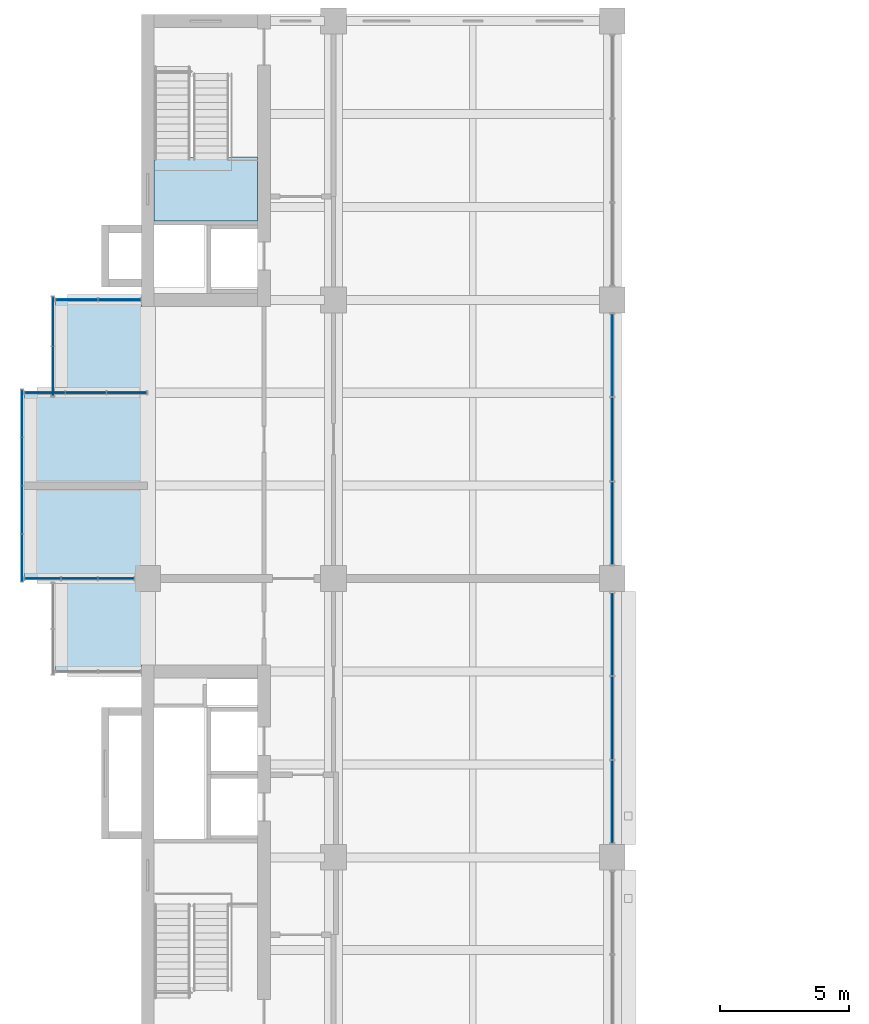
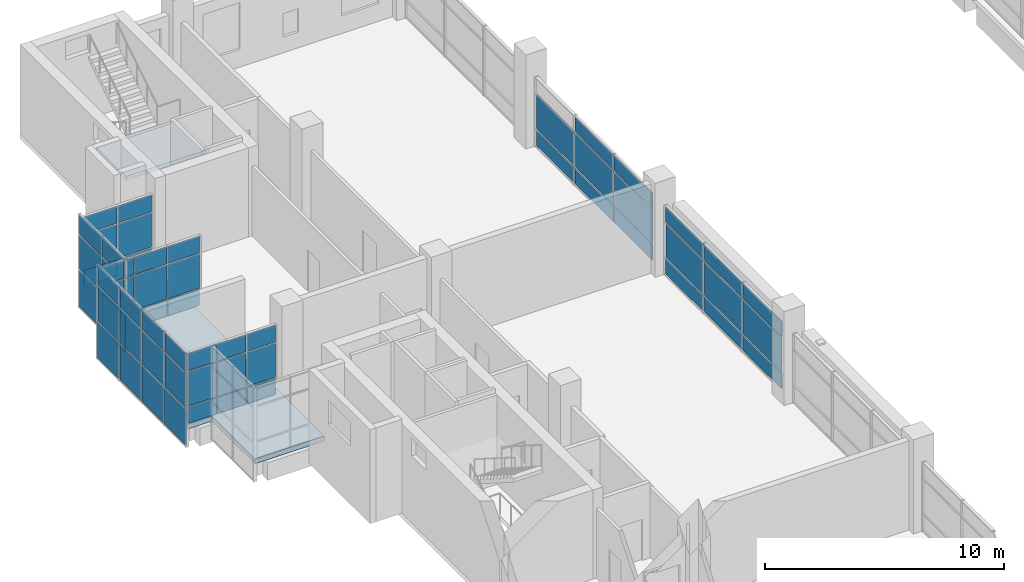
# One storey, part 31 of 44: 59 plates, 2 slabs, 8 elements without a shape of their own.
"""IFC4 building model written with IfcOpenShell, lengths in metres."""

from ifc_helpers import new_model, si_unit, direction, frame, origin, origin_2d, place, context, subcontext, project, spatial, polyline, rectangle, outline, extrude, material, layer, layer_set, type_object, element, aggregate, save


model = new_model("IFC4")

# Units and contexts
model_context = context("Model", 3, precision=1e-05, world=origin(), true_north=direction((0.0, 1.0)))
body_context = subcontext(model_context, "Body", "Model", "MODEL_VIEW")
ifc_project = project(units=[si_unit("LENGTHUNIT", "METRE"), si_unit("AREAUNIT", "SQUARE_METRE"), si_unit("VOLUMEUNIT", "CUBIC_METRE"), si_unit("PLANEANGLEUNIT", "RADIAN"), si_unit("MASSUNIT", "GRAM", prefix="KILO")], contexts=[model_context])

# Site, building, storey
site_placement = place(None, origin())
site = spatial("IfcSite", under=ifc_project, at=site_placement, CompositionType="ELEMENT")
building_placement = place(site_placement, origin())
building = spatial("IfcBuilding", under=site, at=building_placement, Name="Basin Gate Institute", CompositionType="ELEMENT")
storey_placement = place(building_placement, frame((0.0, 0.0, 27.0)))
storey = spatial("IfcBuildingStorey", under=building, at=storey_placement, Name="L05", CompositionType="ELEMENT", Elevation=27.0)

# Slab
ifc_material_1 = material(Name="Concrete 40 MPa", Category="concrete")
ifc_layer_1 = layer(ifc_material_1, 0.25)
ifc_layer_set_1 = layer_set([ifc_layer_1], Name="Concrete 40 MPa")
slab_type_1 = type_object("IfcSlabType", Name="Slab SL4 R120", PredefinedType="FLOOR", material=ifc_layer_set_1)
slab_1_placement = place(storey_placement, frame((0.0, 0.0, -0.25)))
element("IfcSlab", 1, at=slab_1_placement, inside=storey, type_object=slab_type_1, material=ifc_layer_set_1, Name="SLAB/L05/WK21", PredefinedType="FLOOR", context=body_context, shape_type="SweptSolid", body=[
    extrude(outline(polyline([(57.60009765625, 74.699951171875), (57.60009765625, 78.300048828125), (56.39990234375, 78.300048828125), (56.39990234375, 85.5), (57.60009765625, 85.5), (57.60009765625, 89.10009765625), (60.949951171875, 89.10009765625), (60.949951171875, 74.699951171875), (57.60009765625, 74.699951171875)])), origin(), (0.0, 0.0, 1.0), 0.25),
])

# Curtain wall, plates
ifc_material_2 = material(Name="Aluminium-framed glazing", Category="aluminium")
ifc_layer_2 = layer(ifc_material_2, 0.199951171875)
ifc_layer_set_2 = layer_set([ifc_layer_2], Name="Atrium curtain wall CW2")
curtain_wall_type_1 = type_object("IfcCurtainWallType", Name="Atrium curtain wall CW2", PredefinedType="NOTDEFINED", material=ifc_layer_set_2)
curtain_wall_1_placement = place(storey_placement, origin())
curtain_wall_1 = element("IfcCurtainWall", 2, at=curtain_wall_1_placement, inside=storey, type_object=curtain_wall_type_1, material=ifc_layer_set_2, Name="Atrium curtain wall W wing atrium bay 4 L05", PredefinedType="NOTDEFINED")
ifc_material_3 = material(Name="Aluminium insulated spandrel panel", Category="aluminium")
ifc_layer_3 = layer(ifc_material_3, 0.050048828125)
ifc_layer_set_3 = layer_set([ifc_layer_3], Name="Spandrel panel PN2")
plate_type_1 = type_object("IfcPlateType", Name="Spandrel panel PN2", PredefinedType="CURTAIN_PANEL", material=ifc_layer_set_3)
plate_1_placement = place(storey_placement, frame((79.199951171875, 69.6484375, 0.06005859375), z_axis=(0.0, 0.0, 1.0), x_axis=(0.0, 1.0, 0.0)))
plate_1 = element("IfcPlate", 3, at=plate_1_placement, type_object=plate_type_1, material=ifc_layer_set_3, Name="CW2 spandrel panel 1.1", PredefinedType="CURTAIN_PANEL", context=body_context, shape_type="SweptSolid", body=[
    extrude(rectangle(XDim=3.1767578125, YDim=0.050048828125, at=origin_2d()), origin(), (0.0, 0.0, 1.0), 0.81005859375),
])
plate_2_placement = place(storey_placement, frame((79.199951171875, 69.6484375, 2.72998046875), z_axis=(0.0, 0.0, 1.0), x_axis=(0.0, 1.0, 0.0)))
plate_2 = element("IfcPlate", 4, at=plate_2_placement, type_object=plate_type_1, material=ifc_layer_set_3, Name="CW2 spandrel panel 1.3", PredefinedType="CURTAIN_PANEL", context=body_context, shape_type="SweptSolid", body=[
    extrude(rectangle(XDim=3.1767578125, YDim=0.050048828125, at=origin_2d()), origin(), (0.0, 0.0, 1.0), 0.760009765625),
])
plate_3_placement = place(storey_placement, frame((79.199951171875, 72.89990234375, 0.06005859375), z_axis=(0.0, 0.0, 1.0), x_axis=(0.0, 1.0, 0.0)))
plate_3 = element("IfcPlate", 5, at=plate_3_placement, type_object=plate_type_1, material=ifc_layer_set_3, Name="CW2 spandrel panel 2.1", PredefinedType="CURTAIN_PANEL", context=body_context, shape_type="SweptSolid", body=[
    extrude(rectangle(XDim=3.206787109375, YDim=0.050048828125, at=origin_2d()), origin(), (0.0, 0.0, 1.0), 0.81005859375),
])
plate_4_placement = place(storey_placement, frame((79.199951171875, 72.89990234375, 2.72998046875), z_axis=(0.0, 0.0, 1.0), x_axis=(0.0, 1.0, 0.0)))
plate_4 = element("IfcPlate", 6, at=plate_4_placement, type_object=plate_type_1, material=ifc_layer_set_3, Name="CW2 spandrel panel 2.3", PredefinedType="CURTAIN_PANEL", context=body_context, shape_type="SweptSolid", body=[
    extrude(rectangle(XDim=3.206787109375, YDim=0.050048828125, at=origin_2d()), origin(), (0.0, 0.0, 1.0), 0.760009765625),
])
plate_5_placement = place(storey_placement, frame((79.199951171875, 76.151611328125, 0.06005859375), z_axis=(0.0, 0.0, 1.0), x_axis=(0.0, 1.0, 0.0)))
plate_5 = element("IfcPlate", 7, at=plate_5_placement, type_object=plate_type_1, material=ifc_layer_set_3, Name="CW2 spandrel panel 3.1", PredefinedType="CURTAIN_PANEL", context=body_context, shape_type="SweptSolid", body=[
    extrude(rectangle(XDim=3.1767578125, YDim=0.050048828125, at=origin_2d()), origin(), (0.0, 0.0, 1.0), 0.81005859375),
])
plate_6_placement = place(storey_placement, frame((79.199951171875, 76.151611328125, 2.72998046875), z_axis=(0.0, 0.0, 1.0), x_axis=(0.0, 1.0, 0.0)))
plate_6 = element("IfcPlate", 8, at=plate_6_placement, type_object=plate_type_1, material=ifc_layer_set_3, Name="CW2 spandrel panel 3.3", PredefinedType="CURTAIN_PANEL", context=body_context, shape_type="SweptSolid", body=[
    extrude(rectangle(XDim=3.1767578125, YDim=0.050048828125, at=origin_2d()), origin(), (0.0, 0.0, 1.0), 0.760009765625),
])

curtain_wall_2_placement = place(storey_placement, origin())
curtain_wall_2 = element("IfcCurtainWall", 9, at=curtain_wall_2_placement, inside=storey, type_object=curtain_wall_type_1, material=ifc_layer_set_2, Name="Atrium curtain wall W wing atrium bay 5 L05", PredefinedType="NOTDEFINED")
plate_7_placement = place(storey_placement, frame((79.199951171875, 80.4482421875, 0.06005859375), z_axis=(0.0, 0.0, 1.0), x_axis=(0.0, 1.0, 0.0)))
plate_7 = element("IfcPlate", 10, at=plate_7_placement, type_object=plate_type_1, material=ifc_layer_set_3, Name="CW2 spandrel panel 1.1", PredefinedType="CURTAIN_PANEL", context=body_context, shape_type="SweptSolid", body=[
    extrude(rectangle(XDim=3.1767578125, YDim=0.050048828125, at=origin_2d()), origin(), (0.0, 0.0, 1.0), 0.81005859375),
])
plate_8_placement = place(storey_placement, frame((79.199951171875, 80.4482421875, 2.72998046875), z_axis=(0.0, 0.0, 1.0), x_axis=(0.0, 1.0, 0.0)))
plate_8 = element("IfcPlate", 11, at=plate_8_placement, type_object=plate_type_1, material=ifc_layer_set_3, Name="CW2 spandrel panel 1.3", PredefinedType="CURTAIN_PANEL", context=body_context, shape_type="SweptSolid", body=[
    extrude(rectangle(XDim=3.1767578125, YDim=0.050048828125, at=origin_2d()), origin(), (0.0, 0.0, 1.0), 0.760009765625),
])
plate_9_placement = place(storey_placement, frame((79.199951171875, 83.699951171875, 0.06005859375), z_axis=(0.0, 0.0, 1.0), x_axis=(0.0, 1.0, 0.0)))
plate_9 = element("IfcPlate", 12, at=plate_9_placement, type_object=plate_type_1, material=ifc_layer_set_3, Name="CW2 spandrel panel 2.1", PredefinedType="CURTAIN_PANEL", context=body_context, shape_type="SweptSolid", body=[
    extrude(rectangle(XDim=3.206787109375, YDim=0.050048828125, at=origin_2d()), origin(), (0.0, 0.0, 1.0), 0.81005859375),
])
plate_10_placement = place(storey_placement, frame((79.199951171875, 83.699951171875, 2.72998046875), z_axis=(0.0, 0.0, 1.0), x_axis=(0.0, 1.0, 0.0)))
plate_10 = element("IfcPlate", 13, at=plate_10_placement, type_object=plate_type_1, material=ifc_layer_set_3, Name="CW2 spandrel panel 2.3", PredefinedType="CURTAIN_PANEL", context=body_context, shape_type="SweptSolid", body=[
    extrude(rectangle(XDim=3.206787109375, YDim=0.050048828125, at=origin_2d()), origin(), (0.0, 0.0, 1.0), 0.760009765625),
])
plate_11_placement = place(storey_placement, frame((79.199951171875, 86.95166015625, 0.06005859375), z_axis=(0.0, 0.0, 1.0), x_axis=(0.0, 1.0, 0.0)))
plate_11 = element("IfcPlate", 14, at=plate_11_placement, type_object=plate_type_1, material=ifc_layer_set_3, Name="CW2 spandrel panel 3.1", PredefinedType="CURTAIN_PANEL", context=body_context, shape_type="SweptSolid", body=[
    extrude(rectangle(XDim=3.1767578125, YDim=0.050048828125, at=origin_2d()), origin(), (0.0, 0.0, 1.0), 0.81005859375),
])

ifc_material_4 = material(Name="Aluminium-framed glazing", Category="aluminium")
ifc_layer_4 = layer(ifc_material_4, 0.14990234375)
ifc_layer_set_4 = layer_set([ifc_layer_4], Name="Capsule front curtain wall CW1")
curtain_wall_type_2 = type_object("IfcCurtainWallType", Name="Capsule front curtain wall CW1", PredefinedType="NOTDEFINED", material=ifc_layer_set_4)
curtain_wall_3_placement = place(storey_placement, origin())
curtain_wall_3 = element("IfcCurtainWall", 15, at=curtain_wall_3_placement, inside=storey, type_object=curtain_wall_type_2, material=ifc_layer_set_4, Name="Capsule front curtain wall W wing capsule end L05 line 13", PredefinedType="NOTDEFINED")
plate_12_placement = place(storey_placement, frame((57.129150390625, 78.300048828125, 0.06005859375), z_axis=(0.0, 0.0, 1.0), x_axis=(1.0, 0.0, 0.0)))
plate_12 = element("IfcPlate", 16, at=plate_12_placement, type_object=plate_type_1, material=ifc_layer_set_3, Name="CW1 spandrel panel 1.1", PredefinedType="CURTAIN_PANEL", context=body_context, shape_type="SweptSolid", body=[
    extrude(rectangle(XDim=1.3583984375, YDim=0.050048828125, at=origin_2d()), origin(), (0.0, 0.0, 1.0), 0.81005859375),
])
plate_13_placement = place(storey_placement, frame((58.550048828125, 78.300048828125, 0.06005859375), z_axis=(0.0, 0.0, 1.0), x_axis=(1.0, 0.0, 0.0)))
plate_13 = element("IfcPlate", 17, at=plate_13_placement, type_object=plate_type_1, material=ifc_layer_set_3, Name="CW1 spandrel panel 2.1", PredefinedType="CURTAIN_PANEL", context=body_context, shape_type="SweptSolid", body=[
    extrude(rectangle(XDim=1.38330078125, YDim=0.050048828125, at=origin_2d()), origin(), (0.0, 0.0, 1.0), 0.81005859375),
])
plate_14_placement = place(storey_placement, frame((59.970947265625, 78.300048828125, 0.06005859375), z_axis=(0.0, 0.0, 1.0), x_axis=(1.0, 0.0, 0.0)))
plate_14 = element("IfcPlate", 18, at=plate_14_placement, type_object=plate_type_1, material=ifc_layer_set_3, Name="CW1 spandrel panel 3.1", PredefinedType="CURTAIN_PANEL", context=body_context, shape_type="SweptSolid", body=[
    extrude(rectangle(XDim=1.3583984375, YDim=0.050048828125, at=origin_2d()), origin(), (0.0, 0.0, 1.0), 0.81005859375),
])

curtain_wall_4_placement = place(storey_placement, origin())
curtain_wall_4 = element("IfcCurtainWall", 19, at=curtain_wall_4_placement, inside=storey, type_object=curtain_wall_type_2, material=ifc_layer_set_4, Name="Capsule front curtain wall W wing capsule end L05 line 15", PredefinedType="NOTDEFINED")
plate_15_placement = place(storey_placement, frame((57.21240234375, 85.5, 0.06005859375), z_axis=(0.0, 0.0, 1.0), x_axis=(1.0, 0.0, 0.0)))
plate_15 = element("IfcPlate", 20, at=plate_15_placement, type_object=plate_type_1, material=ifc_layer_set_3, Name="CW1 spandrel panel 1.1", PredefinedType="CURTAIN_PANEL", context=body_context, shape_type="SweptSolid", body=[
    extrude(rectangle(XDim=1.52490234375, YDim=0.050048828125, at=origin_2d()), origin(), (0.0, 0.0, 1.0), 0.81005859375),
])
plate_16_placement = place(storey_placement, frame((58.800048828125, 85.5, 0.06005859375), z_axis=(0.0, 0.0, 1.0), x_axis=(1.0, 0.0, 0.0)))
plate_16 = element("IfcPlate", 21, at=plate_16_placement, type_object=plate_type_1, material=ifc_layer_set_3, Name="CW1 spandrel panel 2.1", PredefinedType="CURTAIN_PANEL", context=body_context, shape_type="SweptSolid", body=[
    extrude(rectangle(XDim=1.550048828125, YDim=0.050048828125, at=origin_2d()), origin(), (0.0, 0.0, 1.0), 0.81005859375),
])
plate_17_placement = place(storey_placement, frame((60.387451171875, 85.5, 0.06005859375), z_axis=(0.0, 0.0, 1.0), x_axis=(1.0, 0.0, 0.0)))
plate_17 = element("IfcPlate", 22, at=plate_17_placement, type_object=plate_type_1, material=ifc_layer_set_3, Name="CW1 spandrel panel 3.1", PredefinedType="CURTAIN_PANEL", context=body_context, shape_type="SweptSolid", body=[
    extrude(rectangle(XDim=1.52490234375, YDim=0.050048828125, at=origin_2d()), origin(), (0.0, 0.0, 1.0), 0.81005859375),
])

curtain_wall_5_placement = place(storey_placement, origin())
curtain_wall_5 = element("IfcCurtainWall", 23, at=curtain_wall_5_placement, inside=storey, type_object=curtain_wall_type_2, material=ifc_layer_set_4, Name="Capsule front curtain wall W wing capsule end L05 line 16", PredefinedType="NOTDEFINED")
plate_18_placement = place(storey_placement, frame((58.449951171875, 89.10009765625, 0.06005859375), z_axis=(0.0, 0.0, 1.0), x_axis=(1.0, 0.0, 0.0)))
plate_18 = element("IfcPlate", 24, at=plate_18_placement, type_object=plate_type_1, material=ifc_layer_set_3, Name="CW1 spandrel panel 1.1", PredefinedType="CURTAIN_PANEL", context=body_context, shape_type="SweptSolid", body=[
    extrude(rectangle(XDim=1.60009765625, YDim=0.050048828125, at=origin_2d()), origin(), (0.0, 0.0, 1.0), 0.81005859375),
])
plate_19_placement = place(storey_placement, frame((60.10009765625, 89.10009765625, 0.06005859375), z_axis=(0.0, 0.0, 1.0), x_axis=(1.0, 0.0, 0.0)))
plate_19 = element("IfcPlate", 25, at=plate_19_placement, type_object=plate_type_1, material=ifc_layer_set_3, Name="CW1 spandrel panel 2.1", PredefinedType="CURTAIN_PANEL", context=body_context, shape_type="SweptSolid", body=[
    extrude(rectangle(XDim=1.60009765625, YDim=0.050048828125, at=origin_2d()), origin(), (0.0, 0.0, 1.0), 0.81005859375),
])

curtain_wall_6_placement = place(storey_placement, origin())
curtain_wall_6 = element("IfcCurtainWall", 26, at=curtain_wall_6_placement, inside=storey, type_object=curtain_wall_type_2, material=ifc_layer_set_4, Name="Capsule front curtain wall W wing capsule 2 L05 front 2", PredefinedType="NOTDEFINED")
plate_20_placement = place(storey_placement, frame((56.324951171875, 79.10009765625, -0.990234375), z_axis=(0.0, 0.0, 1.0), x_axis=(0.0, 1.0, 0.0)))
plate_20 = element("IfcPlate", 27, at=plate_20_placement, type_object=plate_type_1, material=ifc_layer_set_3, Name="CW1 spandrel panel 1.1", PredefinedType="CURTAIN_PANEL", context=body_context, shape_type="SweptSolid", body=[
    extrude(rectangle(XDim=1.800048828125, YDim=0.050048828125, at=origin_2d()), origin(), (0.0, 0.0, 1.0), 1.860107421875),
])
plate_21_placement = place(storey_placement, frame((56.324951171875, 80.96240234375, -0.990234375), z_axis=(0.0, 0.0, 1.0), x_axis=(0.0, 1.0, 0.0)))
plate_21 = element("IfcPlate", 28, at=plate_21_placement, type_object=plate_type_1, material=ifc_layer_set_3, Name="CW1 spandrel panel 2.1", PredefinedType="CURTAIN_PANEL", context=body_context, shape_type="SweptSolid", body=[
    extrude(rectangle(XDim=1.824951171875, YDim=0.050048828125, at=origin_2d()), origin(), (0.0, 0.0, 1.0), 1.860107421875),
])
plate_22_placement = place(storey_placement, frame((56.324951171875, 82.83740234375, -0.990234375), z_axis=(0.0, 0.0, 1.0), x_axis=(0.0, 1.0, 0.0)))
plate_22 = element("IfcPlate", 29, at=plate_22_placement, type_object=plate_type_1, material=ifc_layer_set_3, Name="CW1 spandrel panel 3.1", PredefinedType="CURTAIN_PANEL", context=body_context, shape_type="SweptSolid", body=[
    extrude(rectangle(XDim=1.824951171875, YDim=0.050048828125, at=origin_2d()), origin(), (0.0, 0.0, 1.0), 1.860107421875),
])
plate_23_placement = place(storey_placement, frame((56.324951171875, 84.699951171875, -0.990234375), z_axis=(0.0, 0.0, 1.0), x_axis=(0.0, 1.0, 0.0)))
plate_23 = element("IfcPlate", 30, at=plate_23_placement, type_object=plate_type_1, material=ifc_layer_set_3, Name="CW1 spandrel panel 4.1", PredefinedType="CURTAIN_PANEL", context=body_context, shape_type="SweptSolid", body=[
    extrude(rectangle(XDim=1.800048828125, YDim=0.050048828125, at=origin_2d()), origin(), (0.0, 0.0, 1.0), 1.860107421875),
])

curtain_wall_7_placement = place(storey_placement, origin())
curtain_wall_7 = element("IfcCurtainWall", 31, at=curtain_wall_7_placement, inside=storey, type_object=curtain_wall_type_2, material=ifc_layer_set_4, Name="Capsule front curtain wall W wing capsule 2 L05 front 4", PredefinedType="NOTDEFINED")
plate_24_placement = place(storey_placement, frame((57.52490234375, 86.33740234375, -0.990234375), z_axis=(0.0, 0.0, 1.0), x_axis=(0.0, 1.0, 0.0)))
plate_24 = element("IfcPlate", 32, at=plate_24_placement, type_object=plate_type_1, material=ifc_layer_set_3, Name="CW1 spandrel panel 1.1", PredefinedType="CURTAIN_PANEL", context=body_context, shape_type="SweptSolid", body=[
    extrude(rectangle(XDim=1.875, YDim=0.050048828125, at=origin_2d()), origin(), (0.0, 0.0, 1.0), 1.860107421875),
])
plate_25_placement = place(storey_placement, frame((57.52490234375, 88.262451171875, -0.990234375), z_axis=(0.0, 0.0, 1.0), x_axis=(0.0, 1.0, 0.0)))
plate_25 = element("IfcPlate", 33, at=plate_25_placement, type_object=plate_type_1, material=ifc_layer_set_3, Name="CW1 spandrel panel 2.1", PredefinedType="CURTAIN_PANEL", context=body_context, shape_type="SweptSolid", body=[
    extrude(rectangle(XDim=1.875, YDim=0.050048828125, at=origin_2d()), origin(), (0.0, 0.0, 1.0), 1.860107421875),
])

# Stair, slab
ifc_material_5 = material(Name="Concrete 40 MPa", Category="concrete")
stair_type = type_object("IfcStairType", Name="Stair ST", PredefinedType="HALF_TURN_STAIR", material=ifc_material_5)
stair_placement = place(storey_placement, origin())
stair = element("IfcStair", 34, at=stair_placement, inside=storey, type_object=stair_type, material=ifc_material_5, Name="Special safe stair ST-WN L05", PredefinedType="HALF_TURN_STAIR")
ifc_material_6 = material(Name="Concrete 40 MPa", Category="concrete")
ifc_layer_5 = layer(ifc_material_6, 0.199951171875)
ifc_layer_set_5 = layer_set([ifc_layer_5], Name="Concrete 40 MPa")
slab_type_2 = type_object("IfcSlabType", Name="Stair landing LN REI 120", PredefinedType="LANDING", material=ifc_layer_set_5)
slab_2_placement = place(storey_placement, frame((0.0, 0.0, 2.288818359375)))
slab_2 = element("IfcSlab", 35, at=slab_2_placement, type_object=slab_type_2, material=ifc_layer_set_5, Name="Stair landing ST-WN-L1 L05", PredefinedType="LANDING", context=body_context, shape_type="SweptSolid", body=[
    extrude(outline(polyline([(61.449951171875, 92.14990234375), (65.449951171875, 92.14990234375), (65.449951171875, 94.6298828125), (61.449951171875, 94.6298828125), (61.449951171875, 92.14990234375)])), origin(), (0.0, 0.0, 1.0), 0.199951171875),
])
aggregate(stair, [slab_2])

# Plate
ifc_material_7 = material(Name="Double glazed unit")
ifc_layer_6 = layer(ifc_material_7, 0.028076171875)
ifc_layer_set_6 = layer_set([ifc_layer_6], Name="Vision panel PN1")
plate_type_2 = type_object("IfcPlateType", Name="Vision panel PN1", PredefinedType="CURTAIN_PANEL", material=ifc_layer_set_6)
plate_26_placement = place(storey_placement, frame((79.199951171875, 69.6484375, 0.93017578125), z_axis=(0.0, 0.0, 1.0), x_axis=(0.0, 1.0, 0.0)))
plate_26 = element("IfcPlate", 36, at=plate_26_placement, type_object=plate_type_2, material=ifc_layer_set_6, Name="CW2 vision panel 1.2", PredefinedType="CURTAIN_PANEL", context=body_context, shape_type="SweptSolid", body=[
    extrude(rectangle(XDim=3.1767578125, YDim=0.028076171875, at=origin_2d()), origin(), (0.0, 0.0, 1.0), 1.739990234375),
])

plate_27_placement = place(storey_placement, frame((79.199951171875, 72.89990234375, 0.93017578125), z_axis=(0.0, 0.0, 1.0), x_axis=(0.0, 1.0, 0.0)))
plate_27 = element("IfcPlate", 37, at=plate_27_placement, type_object=plate_type_2, material=ifc_layer_set_6, Name="CW2 vision panel 2.2", PredefinedType="CURTAIN_PANEL", context=body_context, shape_type="SweptSolid", body=[
    extrude(rectangle(XDim=3.206787109375, YDim=0.028076171875, at=origin_2d()), origin(), (0.0, 0.0, 1.0), 1.739990234375),
])

plate_28_placement = place(storey_placement, frame((79.199951171875, 76.151611328125, 0.93017578125), z_axis=(0.0, 0.0, 1.0), x_axis=(0.0, 1.0, 0.0)))
plate_28 = element("IfcPlate", 38, at=plate_28_placement, type_object=plate_type_2, material=ifc_layer_set_6, Name="CW2 vision panel 3.2", PredefinedType="CURTAIN_PANEL", context=body_context, shape_type="SweptSolid", body=[
    extrude(rectangle(XDim=3.1767578125, YDim=0.028076171875, at=origin_2d()), origin(), (0.0, 0.0, 1.0), 1.739990234375),
])

aggregate(curtain_wall_1, [plate_1, plate_26, plate_2, plate_3, plate_27, plate_4, plate_5, plate_28, plate_6])

plate_29_placement = place(storey_placement, frame((79.199951171875, 80.4482421875, 0.93017578125), z_axis=(0.0, 0.0, 1.0), x_axis=(0.0, 1.0, 0.0)))
plate_29 = element("IfcPlate", 39, at=plate_29_placement, type_object=plate_type_2, material=ifc_layer_set_6, Name="CW2 vision panel 1.2", PredefinedType="CURTAIN_PANEL", context=body_context, shape_type="SweptSolid", body=[
    extrude(rectangle(XDim=3.1767578125, YDim=0.028076171875, at=origin_2d()), origin(), (0.0, 0.0, 1.0), 1.739990234375),
])

plate_30_placement = place(storey_placement, frame((79.199951171875, 83.699951171875, 0.93017578125), z_axis=(0.0, 0.0, 1.0), x_axis=(0.0, 1.0, 0.0)))
plate_30 = element("IfcPlate", 40, at=plate_30_placement, type_object=plate_type_2, material=ifc_layer_set_6, Name="CW2 vision panel 2.2", PredefinedType="CURTAIN_PANEL", context=body_context, shape_type="SweptSolid", body=[
    extrude(rectangle(XDim=3.206787109375, YDim=0.028076171875, at=origin_2d()), origin(), (0.0, 0.0, 1.0), 1.739990234375),
])

plate_31_placement = place(storey_placement, frame((79.199951171875, 86.95166015625, 0.93017578125), z_axis=(0.0, 0.0, 1.0), x_axis=(0.0, 1.0, 0.0)))
plate_31 = element("IfcPlate", 41, at=plate_31_placement, type_object=plate_type_2, material=ifc_layer_set_6, Name="CW2 vision panel 3.2", PredefinedType="CURTAIN_PANEL", context=body_context, shape_type="SweptSolid", body=[
    extrude(rectangle(XDim=3.1767578125, YDim=0.028076171875, at=origin_2d()), origin(), (0.0, 0.0, 1.0), 1.739990234375),
])

aggregate(curtain_wall_2, [plate_7, plate_29, plate_8, plate_9, plate_30, plate_10, plate_11, plate_31])

plate_32_placement = place(storey_placement, frame((57.129150390625, 78.300048828125, 0.93017578125), z_axis=(0.0, 0.0, 1.0), x_axis=(1.0, 0.0, 0.0)))
plate_32 = element("IfcPlate", 42, at=plate_32_placement, type_object=plate_type_2, material=ifc_layer_set_6, Name="CW1 vision panel 1.2", PredefinedType="CURTAIN_PANEL", context=body_context, shape_type="SweptSolid", body=[
    extrude(rectangle(XDim=1.3583984375, YDim=0.028076171875, at=origin_2d()), origin(), (0.0, 0.0, 1.0), 1.739990234375),
])

plate_33_placement = place(storey_placement, frame((57.129150390625, 78.300048828125, 2.72998046875), z_axis=(0.0, 0.0, 1.0), x_axis=(1.0, 0.0, 0.0)))
plate_33 = element("IfcPlate", 43, at=plate_33_placement, type_object=plate_type_2, material=ifc_layer_set_6, Name="CW1 vision panel 1.3", PredefinedType="CURTAIN_PANEL", context=body_context, shape_type="SweptSolid", body=[
    extrude(rectangle(XDim=1.3583984375, YDim=0.028076171875, at=origin_2d()), origin(), (0.0, 0.0, 1.0), 0.860107421875),
])

plate_34_placement = place(storey_placement, frame((58.550048828125, 78.300048828125, 0.93017578125), z_axis=(0.0, 0.0, 1.0), x_axis=(1.0, 0.0, 0.0)))
plate_34 = element("IfcPlate", 44, at=plate_34_placement, type_object=plate_type_2, material=ifc_layer_set_6, Name="CW1 vision panel 2.2", PredefinedType="CURTAIN_PANEL", context=body_context, shape_type="SweptSolid", body=[
    extrude(rectangle(XDim=1.38330078125, YDim=0.028076171875, at=origin_2d()), origin(), (0.0, 0.0, 1.0), 1.739990234375),
])

plate_35_placement = place(storey_placement, frame((58.550048828125, 78.300048828125, 2.72998046875), z_axis=(0.0, 0.0, 1.0), x_axis=(1.0, 0.0, 0.0)))
plate_35 = element("IfcPlate", 45, at=plate_35_placement, type_object=plate_type_2, material=ifc_layer_set_6, Name="CW1 vision panel 2.3", PredefinedType="CURTAIN_PANEL", context=body_context, shape_type="SweptSolid", body=[
    extrude(rectangle(XDim=1.38330078125, YDim=0.028076171875, at=origin_2d()), origin(), (0.0, 0.0, 1.0), 0.860107421875),
])

plate_36_placement = place(storey_placement, frame((59.970947265625, 78.300048828125, 0.93017578125), z_axis=(0.0, 0.0, 1.0), x_axis=(1.0, 0.0, 0.0)))
plate_36 = element("IfcPlate", 46, at=plate_36_placement, type_object=plate_type_2, material=ifc_layer_set_6, Name="CW1 vision panel 3.2", PredefinedType="CURTAIN_PANEL", context=body_context, shape_type="SweptSolid", body=[
    extrude(rectangle(XDim=1.3583984375, YDim=0.028076171875, at=origin_2d()), origin(), (0.0, 0.0, 1.0), 1.739990234375),
])

plate_37_placement = place(storey_placement, frame((59.970947265625, 78.300048828125, 2.72998046875), z_axis=(0.0, 0.0, 1.0), x_axis=(1.0, 0.0, 0.0)))
plate_37 = element("IfcPlate", 47, at=plate_37_placement, type_object=plate_type_2, material=ifc_layer_set_6, Name="CW1 vision panel 3.3", PredefinedType="CURTAIN_PANEL", context=body_context, shape_type="SweptSolid", body=[
    extrude(rectangle(XDim=1.3583984375, YDim=0.028076171875, at=origin_2d()), origin(), (0.0, 0.0, 1.0), 0.860107421875),
])

aggregate(curtain_wall_3, [plate_12, plate_32, plate_33, plate_13, plate_34, plate_35, plate_14, plate_36, plate_37])

plate_38_placement = place(storey_placement, frame((57.21240234375, 85.5, 0.93017578125), z_axis=(0.0, 0.0, 1.0), x_axis=(1.0, 0.0, 0.0)))
plate_38 = element("IfcPlate", 48, at=plate_38_placement, type_object=plate_type_2, material=ifc_layer_set_6, Name="CW1 vision panel 1.2", PredefinedType="CURTAIN_PANEL", context=body_context, shape_type="SweptSolid", body=[
    extrude(rectangle(XDim=1.52490234375, YDim=0.028076171875, at=origin_2d()), origin(), (0.0, 0.0, 1.0), 1.739990234375),
])

plate_39_placement = place(storey_placement, frame((57.21240234375, 85.5, 2.72998046875), z_axis=(0.0, 0.0, 1.0), x_axis=(1.0, 0.0, 0.0)))
plate_39 = element("IfcPlate", 49, at=plate_39_placement, type_object=plate_type_2, material=ifc_layer_set_6, Name="CW1 vision panel 1.3", PredefinedType="CURTAIN_PANEL", context=body_context, shape_type="SweptSolid", body=[
    extrude(rectangle(XDim=1.52490234375, YDim=0.028076171875, at=origin_2d()), origin(), (0.0, 0.0, 1.0), 0.860107421875),
])

plate_40_placement = place(storey_placement, frame((58.800048828125, 85.5, 0.93017578125), z_axis=(0.0, 0.0, 1.0), x_axis=(1.0, 0.0, 0.0)))
plate_40 = element("IfcPlate", 50, at=plate_40_placement, type_object=plate_type_2, material=ifc_layer_set_6, Name="CW1 vision panel 2.2", PredefinedType="CURTAIN_PANEL", context=body_context, shape_type="SweptSolid", body=[
    extrude(rectangle(XDim=1.550048828125, YDim=0.028076171875, at=origin_2d()), origin(), (0.0, 0.0, 1.0), 1.739990234375),
])

plate_41_placement = place(storey_placement, frame((58.800048828125, 85.5, 2.72998046875), z_axis=(0.0, 0.0, 1.0), x_axis=(1.0, 0.0, 0.0)))
plate_41 = element("IfcPlate", 51, at=plate_41_placement, type_object=plate_type_2, material=ifc_layer_set_6, Name="CW1 vision panel 2.3", PredefinedType="CURTAIN_PANEL", context=body_context, shape_type="SweptSolid", body=[
    extrude(rectangle(XDim=1.550048828125, YDim=0.028076171875, at=origin_2d()), origin(), (0.0, 0.0, 1.0), 0.860107421875),
])

plate_42_placement = place(storey_placement, frame((60.387451171875, 85.5, 0.93017578125), z_axis=(0.0, 0.0, 1.0), x_axis=(1.0, 0.0, 0.0)))
plate_42 = element("IfcPlate", 52, at=plate_42_placement, type_object=plate_type_2, material=ifc_layer_set_6, Name="CW1 vision panel 3.2", PredefinedType="CURTAIN_PANEL", context=body_context, shape_type="SweptSolid", body=[
    extrude(rectangle(XDim=1.52490234375, YDim=0.028076171875, at=origin_2d()), origin(), (0.0, 0.0, 1.0), 1.739990234375),
])

plate_43_placement = place(storey_placement, frame((60.387451171875, 85.5, 2.72998046875), z_axis=(0.0, 0.0, 1.0), x_axis=(1.0, 0.0, 0.0)))
plate_43 = element("IfcPlate", 53, at=plate_43_placement, type_object=plate_type_2, material=ifc_layer_set_6, Name="CW1 vision panel 3.3", PredefinedType="CURTAIN_PANEL", context=body_context, shape_type="SweptSolid", body=[
    extrude(rectangle(XDim=1.52490234375, YDim=0.028076171875, at=origin_2d()), origin(), (0.0, 0.0, 1.0), 0.860107421875),
])

aggregate(curtain_wall_4, [plate_15, plate_38, plate_39, plate_16, plate_40, plate_41, plate_17, plate_42, plate_43])

plate_44_placement = place(storey_placement, frame((58.449951171875, 89.10009765625, 0.93017578125), z_axis=(0.0, 0.0, 1.0), x_axis=(1.0, 0.0, 0.0)))
plate_44 = element("IfcPlate", 54, at=plate_44_placement, type_object=plate_type_2, material=ifc_layer_set_6, Name="CW1 vision panel 1.2", PredefinedType="CURTAIN_PANEL", context=body_context, shape_type="SweptSolid", body=[
    extrude(rectangle(XDim=1.60009765625, YDim=0.028076171875, at=origin_2d()), origin(), (0.0, 0.0, 1.0), 1.739990234375),
])

plate_45_placement = place(storey_placement, frame((58.449951171875, 89.10009765625, 2.72998046875), z_axis=(0.0, 0.0, 1.0), x_axis=(1.0, 0.0, 0.0)))
plate_45 = element("IfcPlate", 55, at=plate_45_placement, type_object=plate_type_2, material=ifc_layer_set_6, Name="CW1 vision panel 1.3", PredefinedType="CURTAIN_PANEL", context=body_context, shape_type="SweptSolid", body=[
    extrude(rectangle(XDim=1.60009765625, YDim=0.028076171875, at=origin_2d()), origin(), (0.0, 0.0, 1.0), 0.860107421875),
])

plate_46_placement = place(storey_placement, frame((60.10009765625, 89.10009765625, 0.93017578125), z_axis=(0.0, 0.0, 1.0), x_axis=(1.0, 0.0, 0.0)))
plate_46 = element("IfcPlate", 56, at=plate_46_placement, type_object=plate_type_2, material=ifc_layer_set_6, Name="CW1 vision panel 2.2", PredefinedType="CURTAIN_PANEL", context=body_context, shape_type="SweptSolid", body=[
    extrude(rectangle(XDim=1.60009765625, YDim=0.028076171875, at=origin_2d()), origin(), (0.0, 0.0, 1.0), 1.739990234375),
])

plate_47_placement = place(storey_placement, frame((60.10009765625, 89.10009765625, 2.72998046875), z_axis=(0.0, 0.0, 1.0), x_axis=(1.0, 0.0, 0.0)))
plate_47 = element("IfcPlate", 57, at=plate_47_placement, type_object=plate_type_2, material=ifc_layer_set_6, Name="CW1 vision panel 2.3", PredefinedType="CURTAIN_PANEL", context=body_context, shape_type="SweptSolid", body=[
    extrude(rectangle(XDim=1.60009765625, YDim=0.028076171875, at=origin_2d()), origin(), (0.0, 0.0, 1.0), 0.860107421875),
])

aggregate(curtain_wall_5, [plate_18, plate_44, plate_45, plate_19, plate_46, plate_47])

plate_48_placement = place(storey_placement, frame((56.324951171875, 79.10009765625, 0.93017578125), z_axis=(0.0, 0.0, 1.0), x_axis=(0.0, 1.0, 0.0)))
plate_48 = element("IfcPlate", 58, at=plate_48_placement, type_object=plate_type_2, material=ifc_layer_set_6, Name="CW1 vision panel 1.2", PredefinedType="CURTAIN_PANEL", context=body_context, shape_type="SweptSolid", body=[
    extrude(rectangle(XDim=1.800048828125, YDim=0.028076171875, at=origin_2d()), origin(), (0.0, 0.0, 1.0), 1.739990234375),
])

plate_49_placement = place(storey_placement, frame((56.324951171875, 79.10009765625, 2.72998046875), z_axis=(0.0, 0.0, 1.0), x_axis=(0.0, 1.0, 0.0)))
plate_49 = element("IfcPlate", 59, at=plate_49_placement, type_object=plate_type_2, material=ifc_layer_set_6, Name="CW1 vision panel 1.3", PredefinedType="CURTAIN_PANEL", context=body_context, shape_type="SweptSolid", body=[
    extrude(rectangle(XDim=1.800048828125, YDim=0.028076171875, at=origin_2d()), origin(), (0.0, 0.0, 1.0), 0.9599609375),
])

plate_50_placement = place(storey_placement, frame((56.324951171875, 80.96240234375, 0.93017578125), z_axis=(0.0, 0.0, 1.0), x_axis=(0.0, 1.0, 0.0)))
plate_50 = element("IfcPlate", 60, at=plate_50_placement, type_object=plate_type_2, material=ifc_layer_set_6, Name="CW1 vision panel 2.2", PredefinedType="CURTAIN_PANEL", context=body_context, shape_type="SweptSolid", body=[
    extrude(rectangle(XDim=1.824951171875, YDim=0.028076171875, at=origin_2d()), origin(), (0.0, 0.0, 1.0), 1.739990234375),
])

plate_51_placement = place(storey_placement, frame((56.324951171875, 80.96240234375, 2.72998046875), z_axis=(0.0, 0.0, 1.0), x_axis=(0.0, 1.0, 0.0)))
plate_51 = element("IfcPlate", 61, at=plate_51_placement, type_object=plate_type_2, material=ifc_layer_set_6, Name="CW1 vision panel 2.3", PredefinedType="CURTAIN_PANEL", context=body_context, shape_type="SweptSolid", body=[
    extrude(rectangle(XDim=1.824951171875, YDim=0.028076171875, at=origin_2d()), origin(), (0.0, 0.0, 1.0), 0.9599609375),
])

plate_52_placement = place(storey_placement, frame((56.324951171875, 82.83740234375, 0.93017578125), z_axis=(0.0, 0.0, 1.0), x_axis=(0.0, 1.0, 0.0)))
plate_52 = element("IfcPlate", 62, at=plate_52_placement, type_object=plate_type_2, material=ifc_layer_set_6, Name="CW1 vision panel 3.2", PredefinedType="CURTAIN_PANEL", context=body_context, shape_type="SweptSolid", body=[
    extrude(rectangle(XDim=1.824951171875, YDim=0.028076171875, at=origin_2d()), origin(), (0.0, 0.0, 1.0), 1.739990234375),
])

plate_53_placement = place(storey_placement, frame((56.324951171875, 82.83740234375, 2.72998046875), z_axis=(0.0, 0.0, 1.0), x_axis=(0.0, 1.0, 0.0)))
plate_53 = element("IfcPlate", 63, at=plate_53_placement, type_object=plate_type_2, material=ifc_layer_set_6, Name="CW1 vision panel 3.3", PredefinedType="CURTAIN_PANEL", context=body_context, shape_type="SweptSolid", body=[
    extrude(rectangle(XDim=1.824951171875, YDim=0.028076171875, at=origin_2d()), origin(), (0.0, 0.0, 1.0), 0.9599609375),
])

plate_54_placement = place(storey_placement, frame((56.324951171875, 84.699951171875, 0.93017578125), z_axis=(0.0, 0.0, 1.0), x_axis=(0.0, 1.0, 0.0)))
plate_54 = element("IfcPlate", 64, at=plate_54_placement, type_object=plate_type_2, material=ifc_layer_set_6, Name="CW1 vision panel 4.2", PredefinedType="CURTAIN_PANEL", context=body_context, shape_type="SweptSolid", body=[
    extrude(rectangle(XDim=1.800048828125, YDim=0.028076171875, at=origin_2d()), origin(), (0.0, 0.0, 1.0), 1.739990234375),
])

plate_55_placement = place(storey_placement, frame((56.324951171875, 84.699951171875, 2.72998046875), z_axis=(0.0, 0.0, 1.0), x_axis=(0.0, 1.0, 0.0)))
plate_55 = element("IfcPlate", 65, at=plate_55_placement, type_object=plate_type_2, material=ifc_layer_set_6, Name="CW1 vision panel 4.3", PredefinedType="CURTAIN_PANEL", context=body_context, shape_type="SweptSolid", body=[
    extrude(rectangle(XDim=1.800048828125, YDim=0.028076171875, at=origin_2d()), origin(), (0.0, 0.0, 1.0), 0.9599609375),
])

aggregate(curtain_wall_6, [plate_20, plate_48, plate_49, plate_21, plate_50, plate_51, plate_22, plate_52, plate_53, plate_23, plate_54, plate_55])

plate_56_placement = place(storey_placement, frame((57.52490234375, 86.33740234375, 0.93017578125), z_axis=(0.0, 0.0, 1.0), x_axis=(0.0, 1.0, 0.0)))
plate_56 = element("IfcPlate", 66, at=plate_56_placement, type_object=plate_type_2, material=ifc_layer_set_6, Name="CW1 vision panel 1.2", PredefinedType="CURTAIN_PANEL", context=body_context, shape_type="SweptSolid", body=[
    extrude(rectangle(XDim=1.875, YDim=0.028076171875, at=origin_2d()), origin(), (0.0, 0.0, 1.0), 1.739990234375),
])

plate_57_placement = place(storey_placement, frame((57.52490234375, 86.33740234375, 2.72998046875), z_axis=(0.0, 0.0, 1.0), x_axis=(0.0, 1.0, 0.0)))
plate_57 = element("IfcPlate", 67, at=plate_57_placement, type_object=plate_type_2, material=ifc_layer_set_6, Name="CW1 vision panel 1.3", PredefinedType="CURTAIN_PANEL", context=body_context, shape_type="SweptSolid", body=[
    extrude(rectangle(XDim=1.875, YDim=0.028076171875, at=origin_2d()), origin(), (0.0, 0.0, 1.0), 0.9599609375),
])

plate_58_placement = place(storey_placement, frame((57.52490234375, 88.262451171875, 0.93017578125), z_axis=(0.0, 0.0, 1.0), x_axis=(0.0, 1.0, 0.0)))
plate_58 = element("IfcPlate", 68, at=plate_58_placement, type_object=plate_type_2, material=ifc_layer_set_6, Name="CW1 vision panel 2.2", PredefinedType="CURTAIN_PANEL", context=body_context, shape_type="SweptSolid", body=[
    extrude(rectangle(XDim=1.875, YDim=0.028076171875, at=origin_2d()), origin(), (0.0, 0.0, 1.0), 1.739990234375),
])

plate_59_placement = place(storey_placement, frame((57.52490234375, 88.262451171875, 2.72998046875), z_axis=(0.0, 0.0, 1.0), x_axis=(0.0, 1.0, 0.0)))
plate_59 = element("IfcPlate", 69, at=plate_59_placement, type_object=plate_type_2, material=ifc_layer_set_6, Name="CW1 vision panel 2.3", PredefinedType="CURTAIN_PANEL", context=body_context, shape_type="SweptSolid", body=[
    extrude(rectangle(XDim=1.875, YDim=0.028076171875, at=origin_2d()), origin(), (0.0, 0.0, 1.0), 0.9599609375),
])

aggregate(curtain_wall_7, [plate_24, plate_56, plate_57, plate_25, plate_58, plate_59])

save(model, "model.ifc")
